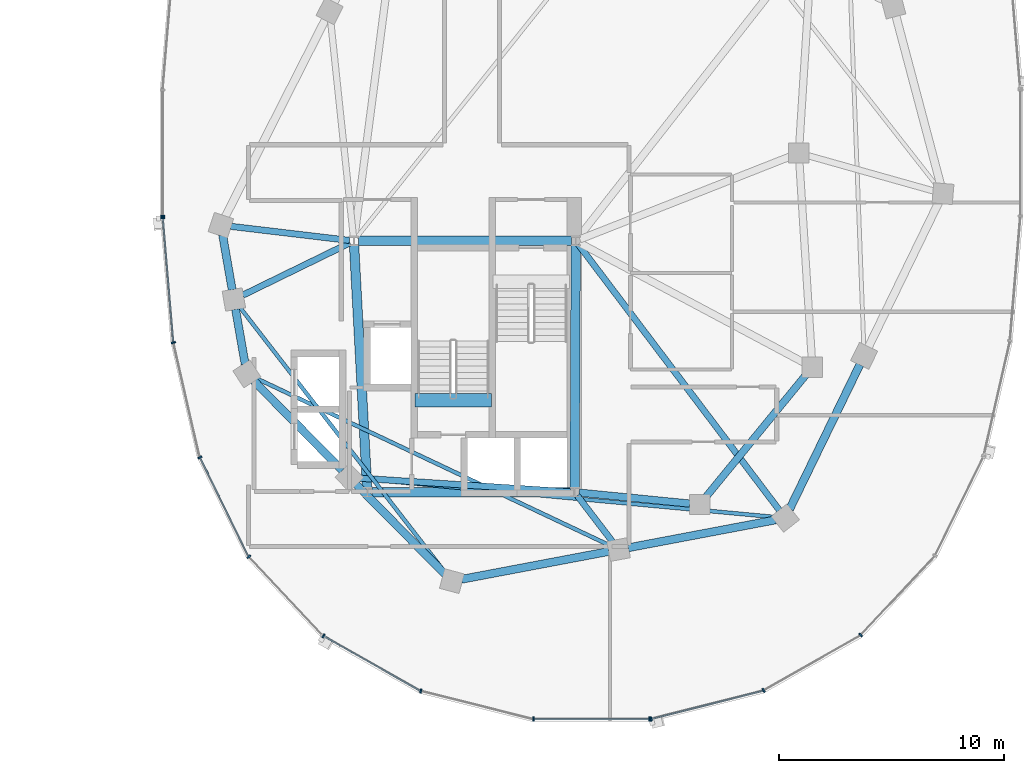
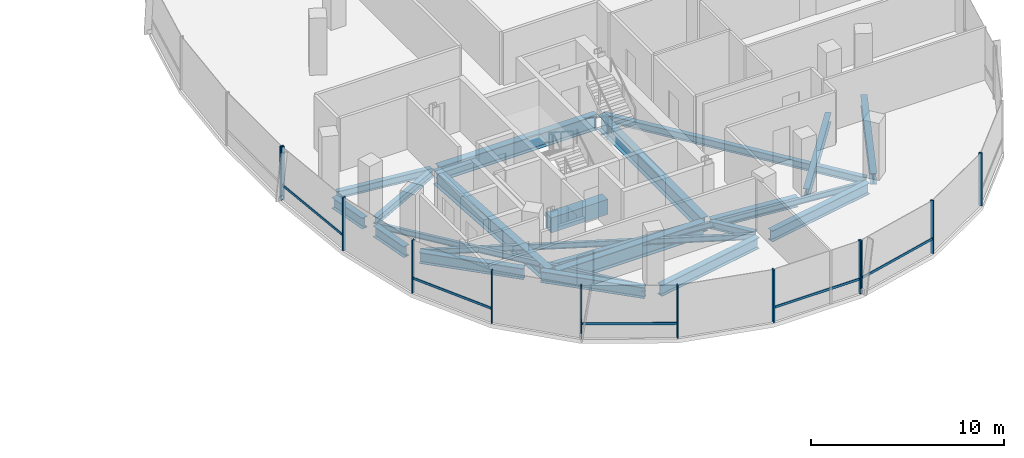
# One storey, part 8 of 25: 22 beams, 17 members, 3 elements without a shape of their own.
"""IFC4 building model written with IfcOpenShell, lengths in metres."""

import ifcopenshell
import ifcopenshell.guid

model = None  # the IFC model being written
_history = None  # IfcOwnerHistory: only IFC2X3 demands one
_inside = {}  # id of a spatial element -> (the spatial element, [elements in it])
_under = {}  # id of a project, library or spatial element -> (it, [spatial elements below it])
_declared = {}  # id of a project -> (the project, [libraries it declares])
_typed = {}  # id of a type object -> (the type object, [elements of that type])
_made_of = {}  # id of a material, layer set ... -> (it, [elements and type objects made of it])


def new_model(schema):
    """Start an empty IFC model of exactly this schema.

    Asked for "IFC4X3", IfcOpenShell would pick the latest addendum, in which some entities
    have other attributes; the version numbers below select the first issue.
    IFC2X3 requires an IfcOwnerHistory on every rooted entity: one is made here for all.
    """
    global model, _history
    if schema == "IFC4X3":
        model = ifcopenshell.file(schema_version=(4, 3, 0, 0))
    else:
        model = ifcopenshell.file(schema=schema)
    _inside.clear()
    _under.clear()
    _declared.clear()
    _typed.clear()
    _made_of.clear()
    _history = None
    if model.schema == "IFC2X3":
        org = make("IfcOrganization", Name="unknown")
        user = make(
            "IfcPersonAndOrganization",
            ThePerson=make("IfcPerson", FamilyName="unknown"),
            TheOrganization=org,
        )
        app = make(
            "IfcApplication",
            ApplicationDeveloper=org,
            Version="unknown",
            ApplicationFullName="unknown",
            ApplicationIdentifier="unknown",
        )
        _history = make(
            "IfcOwnerHistory",
            OwningUser=user,
            OwningApplication=app,
            ChangeAction="ADDED",
            CreationDate=0,
        )
    return model


def make(cls, **values):
    """One entity of the class cls with the attributes given. An attribute that is None is left unset."""
    return model.create_entity(
        cls, **{name: value for name, value in values.items() if value is not None}
    )


def rooted(cls, **values):
    """An entity with a GlobalId (a new one), such as an element, a storey or a relation."""
    return make(cls, GlobalId=ifcopenshell.guid.new(), OwnerHistory=_history, **values)


def si_unit(unit_type, name, prefix=None):
    """IfcSIUnit, for example si_unit("LENGTHUNIT", "METRE", prefix="MILLI")."""
    return make("IfcSIUnit", UnitType=unit_type, Prefix=prefix, Name=name)


def assignment(units):
    """IfcUnitAssignment: the units of a project."""
    return None if units is None else make("IfcUnitAssignment", Units=units)


def point(xyz):
    """IfcCartesianPoint."""
    return None if xyz is None else make("IfcCartesianPoint", Coordinates=xyz)


def direction(xyz):
    """IfcDirection."""
    return None if xyz is None else make("IfcDirection", DirectionRatios=xyz)


def frame(location, z_axis=None, x_axis=None):
    """IfcAxis2Placement3D, a coordinate frame: its origin and axes. An axis left out is left unset."""
    return make(
        "IfcAxis2Placement3D",
        Location=point(location),
        Axis=direction(z_axis),
        RefDirection=direction(x_axis),
    )


def frame_2d(location, x_axis=None):
    """IfcAxis2Placement2D, a coordinate frame in the plane: its origin and x axis."""
    return make(
        "IfcAxis2Placement2D", Location=point(location), RefDirection=direction(x_axis)
    )


def origin():
    """The frame at (0, 0, 0) with its axes left unset."""
    return frame((0.0, 0.0, 0.0))


def origin_2d():
    """The frame at (0, 0) in the plane with its x axis left unset."""
    return frame_2d((0.0, 0.0))


def place(relative_to, where):
    """IfcLocalPlacement: puts the frame where relative to a parent placement (None: the world)."""
    return make(
        "IfcLocalPlacement", PlacementRelTo=relative_to, RelativePlacement=where
    )


def context(
    kind, dimensions, precision=None, world=None, true_north=None, identifier=None
):
    """IfcGeometricRepresentationContext, for example the 3D "Model" context."""
    return make(
        "IfcGeometricRepresentationContext",
        ContextIdentifier=identifier,
        ContextType=kind,
        CoordinateSpaceDimension=dimensions,
        Precision=precision,
        WorldCoordinateSystem=world,
        TrueNorth=true_north,
    )


def subcontext(parent, identifier, kind, view, scale=None):
    """IfcGeometricRepresentationSubContext, for example "Body" below "Model"."""
    return make(
        "IfcGeometricRepresentationSubContext",
        ContextIdentifier=identifier,
        ContextType=kind,
        ParentContext=parent,
        TargetScale=scale,
        TargetView=view,
    )


def project(units=None, contexts=None):
    """IfcProject with its units and contexts."""
    return rooted(
        "IfcProject",
        Name="project",
        RepresentationContexts=contexts,
        UnitsInContext=assignment(units),
    )


def spatial(cls, under=None, at=None, **own):
    """A site, building, storey or space (cls), placed at a placement, below another one or the project."""
    s = rooted(cls, ObjectPlacement=at, **own)
    if under is not None:
        _under.setdefault(under.id(), (under, []))[1].append(s)
    return s


def profile(cls, at=None, kind="AREA", **sizes):
    """A parametric profile (cls). Its sizes go by their IFC names, for example OverallWidth=200.0."""
    return make(cls, ProfileType=kind, Position=at, **sizes)


def rectangle(**sizes):
    """IfcRectangleProfileDef."""
    return profile("IfcRectangleProfileDef", **sizes)


def i_section(**sizes):
    """IfcIShapeProfileDef."""
    return profile("IfcIShapeProfileDef", **sizes)


def extrude(swept, where, along, depth):
    """IfcExtrudedAreaSolid: the profile swept, set in the frame where, extruded along a direction by depth."""
    return make(
        "IfcExtrudedAreaSolid",
        SweptArea=swept,
        Position=where,
        ExtrudedDirection=direction(along),
        Depth=depth,
    )


def shape(context_of_items, identifier, shape_type, items):
    """IfcShapeRepresentation: the items that make up one representation, for example the "Body"."""
    return make(
        "IfcShapeRepresentation",
        ContextOfItems=context_of_items,
        RepresentationIdentifier=identifier,
        RepresentationType=shape_type,
        Items=items,
    )


def material(Name=None, Category=None):
    """IfcMaterial."""
    return make("IfcMaterial", Name=Name, Category=Category)


def material_profile(
    of_material, cross_section, Name=None, Category=None, Priority=None
):
    """IfcMaterialProfile: a cross section and its material."""
    return make(
        "IfcMaterialProfile",
        Name=Name,
        Material=of_material,
        Profile=cross_section,
        Priority=Priority,
        Category=Category,
    )


def profile_set(profiles, Name=None, composite=None):
    """IfcMaterialProfileSet."""
    return make(
        "IfcMaterialProfileSet",
        Name=Name,
        MaterialProfiles=profiles,
        CompositeProfile=composite,
    )


def made_of(thing, what):
    """Note that an element or type object is made of a material, layer set ...; save() writes the relation."""
    if what is not None:
        _made_of.setdefault(what.id(), (what, []))[1].append(thing)
    return thing


def type_object(cls, material=None, **own):
    """A type object (cls), such as IfcWallType, which elements share."""
    return made_of(rooted(cls, **own), material)


def element(
    cls,
    number,
    at=None,
    inside=None,
    cuts=None,
    type_object=None,
    material=None,
    context=None,
    identifier="Body",
    shape_type=None,
    held_by="IfcProductDefinitionShape",
    body=None,
    shapes=None,
    **own,
):
    """One element of the class cls, such as IfcWall. Its Tag is "e" and its number.

    at: its placement. inside: the storey or other place that contains it. cuts: it is an
    opening in that element (IfcRelVoidsElement). A single representation is given by context,
    identifier, shape_type and body (its items); several are given by shapes. held_by: the class
    of the entity that holds the representations. save() writes the other relations.
    """
    e = rooted(cls, Tag="e%d" % number, ObjectPlacement=at, **own)
    if body is not None:
        shapes = [shape(context, identifier, shape_type, body)]
    if shapes is not None:
        e.Representation = make(held_by, Representations=shapes)
    if inside is not None:
        _inside.setdefault(inside.id(), (inside, []))[1].append(e)
    if cuts is not None:
        rooted(
            "IfcRelVoidsElement", RelatingBuildingElement=cuts, RelatedOpeningElement=e
        )
    if type_object is not None:
        _typed.setdefault(type_object.id(), (type_object, []))[1].append(e)
    return made_of(e, material)


def aggregate(whole, parts):
    """IfcRelAggregates: a whole, such as a stair, and the parts it consists of."""
    return rooted("IfcRelAggregates", RelatingObject=whole, RelatedObjects=parts)


def save(model, path):
    """Write the relations noted so far, then the file.

    IfcRelAggregates (storeys below a building ...), IfcRelContainedInSpatialStructure (elements
    in a storey), IfcRelDefinesByType, IfcRelAssociatesMaterial and IfcRelDeclares: one each for
    every whole, place, type object, material and project.
    """
    for whole, parts in _under.values():
        aggregate(whole, parts)
    for where, things in _inside.values():
        rooted(
            "IfcRelContainedInSpatialStructure",
            RelatedElements=things,
            RelatingStructure=where,
        )
    for kind, things in _typed.values():
        rooted("IfcRelDefinesByType", RelatedObjects=things, RelatingType=kind)
    for what, things in _made_of.values():
        rooted("IfcRelAssociatesMaterial", RelatedObjects=things, RelatingMaterial=what)
    for by, libraries in _declared.values():
        rooted("IfcRelDeclares", RelatingContext=by, RelatedDefinitions=libraries)
    model.write(path)


model = new_model("IFC4")

# Units and contexts
model_context = context("Model", 3, precision=1e-05, world=origin(), true_north=direction((0.0, 1.0)))
body_context = subcontext(model_context, "Body", "Model", "MODEL_VIEW")
ifc_project = project(units=[si_unit("LENGTHUNIT", "METRE"), si_unit("AREAUNIT", "SQUARE_METRE"), si_unit("VOLUMEUNIT", "CUBIC_METRE"), si_unit("PLANEANGLEUNIT", "RADIAN"), si_unit("MASSUNIT", "GRAM", prefix="KILO"), si_unit("THERMODYNAMICTEMPERATUREUNIT", "KELVIN"), si_unit("POWERUNIT", "WATT")], contexts=[model_context])

# Site, building, storey
site_placement = place(None, origin())
site = spatial("IfcSite", under=ifc_project, at=site_placement, CompositionType="ELEMENT")
building_placement = place(site_placement, origin())
building = spatial("IfcBuilding", under=site, at=building_placement, Name="Cundina Bronze Exchange", CompositionType="ELEMENT")
storey_placement = place(building_placement, frame((0.0, 0.0, 195.39990234375)))
storey = spatial("IfcBuildingStorey", under=building, at=storey_placement, Name="L51", CompositionType="ELEMENT", Elevation=195.39990234375)

# Beams
ifc_material_1 = material(Name="Concrete C60/75", Category="concrete")
ifc_material_profile_1 = material_profile(ifc_material_1, rectangle(XDim=0.60009765625, YDim=0.949951171875, at=origin_2d()), Name="RC600X950", Category="concrete")
ifc_profile_set_1 = profile_set([ifc_material_profile_1], Name="Concrete C60/75")
beam_type_1 = type_object("IfcBeamType", Name="BM-COUP-RC950", PredefinedType="LINTEL", material=ifc_profile_set_1)
beam_1_placement = place(storey_placement, frame((24.159912109375, -10.97998046875, -0.474853515625), z_axis=(1.0, 0.0, 0.0), x_axis=(0.0, 1.0, 0.0)))
element("IfcBeam", 1, at=beam_1_placement, inside=storey, type_object=beam_type_1, Name="L51 Stair E2 Landing Header Beam", PredefinedType="LINTEL", context=body_context, shape_type="SweptSolid", body=[
    extrude(rectangle(XDim=0.60009765625, YDim=0.949951171875, at=origin_2d()), origin(), (0.0, 0.0, 1.0), 3.400146484375),
])
ifc_material_2 = material(Name="Steel ASTM A992 Grade 50", Category="steel")
ifc_material_profile_2 = material_profile(ifc_material_2, i_section(OverallWidth=0.280029296875, OverallDepth=0.462890625, WebThickness=0.0107421875, FlangeThickness=0.017333984375, FilletRadius=0.011962890625, at=origin_2d()), Name="W18X76", Category="steel")
ifc_profile_set_2 = profile_set([ifc_material_profile_2], Name="Steel ASTM A992 Grade 50")
beam_type_2 = type_object("IfcBeamType", Name="BM-FLR-W18A", PredefinedType="BEAM", material=ifc_profile_set_2)
beam_2_placement = place(storey_placement, frame((21.25537109375, -3.876953125, -0.491455078125), z_axis=(-0.993036786722, 0.117804669761, 0.0), x_axis=(-0.117804669761, -0.993036786722, 0.0)))
element("IfcBeam", 2, at=beam_2_placement, inside=storey, type_object=beam_type_2, Name="L51 Leg E Chordal Floor Beam 00", PredefinedType="BEAM", context=body_context, shape_type="SweptSolid", body=[
    extrude(i_section(OverallWidth=0.280029296875, OverallDepth=0.462890625, WebThickness=0.0107421875, FlangeThickness=0.017333984375, FilletRadius=0.011962890625, at=origin_2d()), origin(), (0.0, 0.0, 1.0), 5.307373046875),
])
beam_3_placement = place(storey_placement, frame((21.27392578125, -3.986083984375, -0.491455078125), z_axis=(-0.898613202677, -0.438741737214, 0.0), x_axis=(0.438741737214, -0.898613202677, 0.0)))
element("IfcBeam", 3, at=beam_3_placement, inside=storey, type_object=beam_type_2, Name="L51 Leg E Chordal Floor Beam 01", PredefinedType="BEAM", context=body_context, shape_type="SweptSolid", body=[
    extrude(i_section(OverallWidth=0.280029296875, OverallDepth=0.462890625, WebThickness=0.0107421875, FlangeThickness=0.017333984375, FilletRadius=0.011962890625, at=origin_2d()), origin(), (0.0, 0.0, 1.0), 5.2919921875),
])
beam_4_placement = place(storey_placement, frame((31.054443359375, -15.037353515625, -0.491455078125), z_axis=(-0.997894145252, 0.064863509559, 0.0), x_axis=(-0.064863509559, -0.997894145252, 0.0)))
element("IfcBeam", 4, at=beam_4_placement, inside=storey, type_object=beam_type_2, Name="L51 Leg E Chordal Floor Beam 03", PredefinedType="BEAM", context=body_context, shape_type="SweptSolid", body=[
    extrude(i_section(OverallWidth=0.280029296875, OverallDepth=0.462890625, WebThickness=0.0107421875, FlangeThickness=0.017333984375, FilletRadius=0.011962890625, at=origin_2d()), origin(), (0.0, 0.0, 1.0), 9.38720703125),
])
beam_5_placement = place(storey_placement, frame((31.369140625, -15.205810546875, -0.491455078125), z_axis=(0.60740437517, -0.794392802727, 0.0), x_axis=(0.794392802727, 0.60740437517, 0.0)))
element("IfcBeam", 5, at=beam_5_placement, inside=storey, type_object=beam_type_2, Name="L51 Leg E Chordal Floor Beam 05", PredefinedType="BEAM", context=body_context, shape_type="SweptSolid", body=[
    extrude(i_section(OverallWidth=0.280029296875, OverallDepth=0.462890625, WebThickness=0.0107421875, FlangeThickness=0.017333984375, FilletRadius=0.011962890625, at=origin_2d()), origin(), (0.0, 0.0, 1.0), 2.575927734375),
])
beam_6_placement = place(storey_placement, frame((31.418212890625, -4.056396484375, -0.491455078125), z_axis=(0.603104943786, -0.797661849897, 0.0), x_axis=(0.797661849897, 0.603104943786, 0.0)))
element("IfcBeam", 6, at=beam_6_placement, inside=storey, type_object=beam_type_2, Name="L51 Leg E Chordal Floor Beam 06", PredefinedType="BEAM", context=body_context, shape_type="SweptSolid", body=[
    extrude(i_section(OverallWidth=0.280029296875, OverallDepth=0.462890625, WebThickness=0.0107421875, FlangeThickness=0.017333984375, FilletRadius=0.011962890625, at=origin_2d()), origin(), (0.0, 0.0, 1.0), 14.785888671875),
])
ifc_material_profile_3 = material_profile(ifc_material_2, i_section(OverallWidth=0.172119140625, OverallDepth=0.35791015625, WebThickness=0.0078125, FlangeThickness=0.01318359375, FilletRadius=0.010009765625, at=origin_2d()), Name="W14X38", Category="steel")
ifc_profile_set_3 = profile_set([ifc_material_profile_3], Name="Steel ASTM A992 Grade 50")
beam_type_3 = type_object("IfcBeamType", Name="BM-JST-W14", PredefinedType="JOIST", material=ifc_profile_set_3)
beam_7_placement = place(storey_placement, frame((16.39306640625, -6.846435546875, -0.43896484375), z_axis=(0.612085793291, -0.790791364174, 0.0), x_axis=(0.790791364174, 0.612085793291, 0.0)))
element("IfcBeam", 7, at=beam_7_placement, inside=storey, type_object=beam_type_3, Name="L51 Leg E Lobe Floor Joist 01-04", PredefinedType="JOIST", context=body_context, shape_type="SweptSolid", body=[
    extrude(i_section(OverallWidth=0.172119140625, OverallDepth=0.35791015625, WebThickness=0.0078125, FlangeThickness=0.01318359375, FilletRadius=0.010009765625, at=origin_2d()), origin(), (0.0, 0.0, 1.0), 14.9306640625),
])
beam_8_placement = place(storey_placement, frame((17.095947265625, -9.9873046875, -0.43896484375), z_axis=(0.904073747204, -0.427376484632, 0.0), x_axis=(0.427376484632, 0.904073747204, 0.0)))
element("IfcBeam", 8, at=beam_8_placement, inside=storey, type_object=beam_type_3, Name="L51 Leg E Lobe Floor Joist 02-05", PredefinedType="JOIST", context=body_context, shape_type="SweptSolid", body=[
    extrude(i_section(OverallWidth=0.172119140625, OverallDepth=0.35791015625, WebThickness=0.0078125, FlangeThickness=0.01318359375, FilletRadius=0.010009765625, at=origin_2d()), origin(), (0.0, 0.0, 1.0), 17.374755859375),
])
beam_9_placement = place(storey_placement, frame((21.68603515625, -14.440673828125, -0.43896484375), z_axis=(0.9957017803, -0.092617302415, 0.0), x_axis=(0.092617302415, 0.9957017803, 0.0)))
element("IfcBeam", 9, at=beam_9_placement, inside=storey, type_object=beam_type_3, Name="L51 Leg E Lobe Floor Joist 03-06", PredefinedType="JOIST", context=body_context, shape_type="SweptSolid", body=[
    extrude(i_section(OverallWidth=0.172119140625, OverallDepth=0.35791015625, WebThickness=0.0078125, FlangeThickness=0.01318359375, FilletRadius=0.010009765625, at=origin_2d()), origin(), (0.0, 0.0, 1.0), 18.5576171875),
])
ifc_material_profile_4 = material_profile(ifc_material_2, i_section(OverallWidth=0.324951171875, OverallDepth=0.615966796875, WebThickness=0.013916015625, FlangeThickness=0.021484375, FilletRadius=0.01611328125, at=origin_2d()), Name="W24X117", Category="steel")
ifc_profile_set_4 = profile_set([ifc_material_profile_4], Name="Steel ASTM A992 Grade 50")
beam_type_4 = type_object("IfcBeamType", Name="BM-RING-W24", PredefinedType="USERDEFINED", material=ifc_profile_set_4)
beam_10_placement = place(storey_placement, frame((31.445068359375, -15.0693359375, -0.56787109375), z_axis=(0.995123854478, -0.09863323096, 0.0), x_axis=(0.09863323096, 0.995123854478, 0.0)))
element("IfcBeam", 10, at=beam_10_placement, inside=storey, type_object=beam_type_4, Name="L51 E Inner Structural Ring Girder 01", ObjectType="GIRDER", PredefinedType="USERDEFINED", context=body_context, shape_type="SweptSolid", body=[
    extrude(i_section(OverallWidth=0.324951171875, OverallDepth=0.615966796875, WebThickness=0.013916015625, FlangeThickness=0.021484375, FilletRadius=0.01611328125, at=origin_2d()), origin(), (0.0, 0.0, 1.0), 4.943115234375),
])
beam_11_placement = place(storey_placement, frame((37.07763671875, -15.26123046875, -0.56787109375), z_axis=(0.633912590175, 0.77340469873, 0.0), x_axis=(-0.77340469873, 0.633912590175, 0.0)))
element("IfcBeam", 11, at=beam_11_placement, inside=storey, type_object=beam_type_4, Name="L51 E Inner Structural Ring Girder 02", ObjectType="GIRDER", PredefinedType="USERDEFINED", context=body_context, shape_type="SweptSolid", body=[
    extrude(i_section(OverallWidth=0.324951171875, OverallDepth=0.615966796875, WebThickness=0.013916015625, FlangeThickness=0.021484375, FilletRadius=0.01611328125, at=origin_2d()), origin(), (0.0, 0.0, 1.0), 7.01123046875),
])
ifc_material_profile_5 = material_profile(ifc_material_2, i_section(OverallWidth=0.35498046875, OverallDepth=0.695068359375, WebThickness=0.015380859375, FlangeThickness=0.02490234375, FilletRadius=0.01806640625, at=origin_2d()), Name="W27X146", Category="steel")
ifc_profile_set_5 = profile_set([ifc_material_profile_5], Name="Steel ASTM A992 Grade 50")
beam_type_5 = type_object("IfcBeamType", Name="BM-RING-W27", PredefinedType="USERDEFINED", material=ifc_profile_set_5)
for number, where, z_axis, x_axis, name in (
    (12, (15.625244140625, -3.631591796875, -0.607421875), (0.171628556628, -0.985161732179, 0.0), (0.985161732179, 0.171628556628, 0.0), "L51 E Perimeter Ring Girder 00"),
    (13, (16.2001953125, -6.931396484375, -0.607421875), (0.171628556628, -0.985161732179, 0.0), (0.985161732179, 0.171628556628, 0.0), "L51 E Perimeter Ring Girder 01"),
):
    element("IfcBeam", number, at=place(storey_placement, frame(where, z_axis=z_axis, x_axis=x_axis)), inside=storey, type_object=beam_type_5, Name=name, ObjectType="GIRDER", PredefinedType="USERDEFINED", context=body_context, shape_type="SweptSolid", body=[
        extrude(i_section(OverallWidth=0.35498046875, OverallDepth=0.695068359375, WebThickness=0.015380859375, FlangeThickness=0.02490234375, FilletRadius=0.01806640625, at=origin_2d()), origin(), (0.0, 0.0, 1.0), 2.4736328125),
    ])
for number, where, z_axis, x_axis, name in (
    (14, (17.008056640625, -10.111328125, -0.607421875), (0.703211928763, -0.710980297368, 0.0), (0.710980297368, 0.703211928763, 0.0), "L51 E Perimeter Ring Girder 02"),
    (15, (21.55810546875, -14.71142578125, -0.607421875), (0.703211928763, -0.710980297368, 0.0), (0.710980297368, 0.703211928763, 0.0), "L51 E Perimeter Ring Girder 03"),
):
    element("IfcBeam", number, at=place(storey_placement, frame(where, z_axis=z_axis, x_axis=x_axis)), inside=storey, type_object=beam_type_5, Name=name, ObjectType="GIRDER", PredefinedType="USERDEFINED", context=body_context, shape_type="SweptSolid", body=[
        extrude(i_section(OverallWidth=0.35498046875, OverallDepth=0.695068359375, WebThickness=0.015380859375, FlangeThickness=0.02490234375, FilletRadius=0.01806640625, at=origin_2d()), origin(), (0.0, 0.0, 1.0), 5.593994140625),
    ])
beam_12_placement = place(storey_placement, frame((26.23046875, -18.918701171875, -0.607421875), z_axis=(0.982565174657, 0.185918470175, 0.0), x_axis=(-0.185918470175, 0.982565174657, 0.0)))
element("IfcBeam", 16, at=beam_12_placement, inside=storey, type_object=beam_type_5, Name="L51 E Perimeter Ring Girder 04", ObjectType="GIRDER", PredefinedType="USERDEFINED", context=body_context, shape_type="SweptSolid", body=[
    extrude(i_section(OverallWidth=0.35498046875, OverallDepth=0.695068359375, WebThickness=0.015380859375, FlangeThickness=0.02490234375, FilletRadius=0.01806640625, at=origin_2d()), origin(), (0.0, 0.0, 1.0), 6.655029296875),
])
beam_13_placement = place(storey_placement, frame((33.63037109375, -17.5185546875, -0.607421875), z_axis=(0.982573143022, 0.185876353022, 0.0), x_axis=(-0.185876353022, 0.982573143022, 0.0)))
element("IfcBeam", 17, at=beam_13_placement, inside=storey, type_object=beam_type_5, Name="L51 E Perimeter Ring Girder 05", ObjectType="GIRDER", PredefinedType="USERDEFINED", context=body_context, shape_type="SweptSolid", body=[
    extrude(i_section(OverallWidth=0.35498046875, OverallDepth=0.695068359375, WebThickness=0.015380859375, FlangeThickness=0.02490234375, FilletRadius=0.01806640625, at=origin_2d()), origin(), (0.0, 0.0, 1.0), 6.6552734375),
])
beam_14_placement = place(storey_placement, frame((40.79150390625, -15.80615234375, -0.607421875), z_axis=(0.437173087764, 0.89937739094, 0.0), x_axis=(-0.89937739094, 0.437173087764, 0.0)))
element("IfcBeam", 18, at=beam_14_placement, inside=storey, type_object=beam_type_5, Name="L51 E Perimeter Ring Girder 06", ObjectType="GIRDER", PredefinedType="USERDEFINED", context=body_context, shape_type="SweptSolid", body=[
    extrude(i_section(OverallWidth=0.35498046875, OverallDepth=0.695068359375, WebThickness=0.015380859375, FlangeThickness=0.02490234375, FilletRadius=0.01806640625, at=origin_2d()), origin(), (0.0, 0.0, 1.0), 7.1298828125),
])
ifc_material_profile_6 = material_profile(ifc_material_2, i_section(OverallWidth=0.41796875, OverallDepth=0.927001953125, WebThickness=0.019287109375, FlangeThickness=0.031982421875, FilletRadius=0.02392578125, at=origin_2d()), Name="W36X231", Category="steel")
ifc_profile_set_6 = profile_set([ifc_material_profile_6], Name="Steel ASTM A992 Grade 50")
beam_type_6 = type_object("IfcBeamType", Name="BM-WRN-W36B", PredefinedType="USERDEFINED", material=ifc_profile_set_6)
beam_15_placement = place(storey_placement, frame((31.10400390625, -3.89990234375, -0.723388671875), z_axis=(-1.0, 0.0, 0.0), x_axis=(0.0, -1.0, 0.0)))
element("IfcBeam", 19, at=beam_15_placement, inside=storey, type_object=beam_type_6, Name="L51 E Core Perimeter Tie Girder 1", ObjectType="GIRDER", PredefinedType="USERDEFINED", context=body_context, shape_type="SweptSolid", body=[
    extrude(i_section(OverallWidth=0.41796875, OverallDepth=0.927001953125, WebThickness=0.019287109375, FlangeThickness=0.031982421875, FilletRadius=0.02392578125, at=origin_2d()), origin(), (0.0, 0.0, 1.0), 9.4580078125),
])
beam_16_placement = place(storey_placement, frame((21.46044921875, -4.095703125, -0.723388671875), z_axis=(0.053749317644, -0.998554460634, 0.0), x_axis=(0.998554460634, 0.053749317644, 0.0)))
element("IfcBeam", 20, at=beam_16_placement, inside=storey, type_object=beam_type_6, Name="L51 E Core Perimeter Tie Girder 2", ObjectType="GIRDER", PredefinedType="USERDEFINED", context=body_context, shape_type="SweptSolid", body=[
    extrude(i_section(OverallWidth=0.41796875, OverallDepth=0.927001953125, WebThickness=0.019287109375, FlangeThickness=0.031982421875, FilletRadius=0.02392578125, at=origin_2d()), origin(), (0.0, 0.0, 1.0), 10.774169921875),
])
beam_17_placement = place(storey_placement, frame((22.24609375, -15.050048828125, -0.723388671875), z_axis=(1.0, 0.0, 0.0), x_axis=(0.0, 1.0, 0.0)))
element("IfcBeam", 21, at=beam_17_placement, inside=storey, type_object=beam_type_6, Name="L51 E Core Perimeter Tie Girder 3", ObjectType="GIRDER", PredefinedType="USERDEFINED", context=body_context, shape_type="SweptSolid", body=[
    extrude(i_section(OverallWidth=0.41796875, OverallDepth=0.927001953125, WebThickness=0.019287109375, FlangeThickness=0.031982421875, FilletRadius=0.02392578125, at=origin_2d()), origin(), (0.0, 0.0, 1.0), 8.807861328125),
])
beam_18_placement = place(storey_placement, frame((31.2509765625, -14.85400390625, -0.723388671875), z_axis=(0.004470623654, 0.999990006712, 0.0), x_axis=(-0.999990006712, 0.004470623654, 0.0)))
element("IfcBeam", 22, at=beam_18_placement, inside=storey, type_object=beam_type_6, Name="L51 E Core Perimeter Tie Girder 4", ObjectType="GIRDER", PredefinedType="USERDEFINED", context=body_context, shape_type="SweptSolid", body=[
    extrude(i_section(OverallWidth=0.41796875, OverallDepth=0.927001953125, WebThickness=0.019287109375, FlangeThickness=0.031982421875, FilletRadius=0.02392578125, at=origin_2d()), origin(), (0.0, 0.0, 1.0), 10.758056640625),
])

# Curtain wall, member
ifc_material_3 = material(Name="Anodised Bronze Aluminium 6063-T6", Category="aluminium")
curtain_wall_type = type_object("IfcCurtainWallType", Name="CWS-UPP-OFF", PredefinedType="NOTDEFINED", material=ifc_material_3)
curtain_wall_1_placement = place(storey_placement, origin())
curtain_wall_1 = element("IfcCurtainWall", 23, at=curtain_wall_1_placement, inside=storey, type_object=curtain_wall_type, Name="L51 CW-05 Curtain Wall Run CWR-L51-E2", PredefinedType="NOTDEFINED")
ifc_material_profile_7 = material_profile(ifc_material_3, rectangle(XDim=0.070068359375, YDim=0.18994140625, at=origin_2d()), Name="AL70X190", Category="aluminium")
ifc_profile_set_7 = profile_set([ifc_material_profile_7], Name="Anodised Bronze Aluminium 6063-T6")
member_type_1 = type_object("IfcMemberType", Name="CWM-MUL-190", PredefinedType="MULLION", material=ifc_profile_set_7)
member_1_placement = place(storey_placement, frame((12.966064453125, -2.794921875, 0.0), z_axis=(0.0, 0.0, 1.0), x_axis=(0.0, -1.0, 0.0)))
member_1 = element("IfcMember", 24, at=member_1_placement, type_object=member_type_1, Name="CW-05 End Mullion", PredefinedType="MULLION", context=body_context, shape_type="SweptSolid", body=[
    extrude(rectangle(XDim=0.070068359375, YDim=0.18994140625, at=origin_2d()), origin(), (0.0, 0.0, 1.0), 3.340087890625),
])
aggregate(curtain_wall_1, [member_1])

# Curtain wall, members
curtain_wall_2_placement = place(storey_placement, origin())
curtain_wall_2 = element("IfcCurtainWall", 25, at=curtain_wall_2_placement, inside=storey, type_object=curtain_wall_type, Name="L51 CW-05 Curtain Wall Run CWR-L51-E3", PredefinedType="NOTDEFINED")
member_2_placement = place(storey_placement, frame((12.9697265625, -2.88330078125, 0.0), z_axis=(0.0, 0.0, 1.0), x_axis=(0.083677843332, -0.99649285925, 0.0)))
member_2 = element("IfcMember", 26, at=member_2_placement, type_object=member_type_1, Name="CW-05 Mullion 1", PredefinedType="MULLION", context=body_context, shape_type="SweptSolid", body=[
    extrude(rectangle(XDim=0.070068359375, YDim=0.18994140625, at=origin_2d()), origin(), (0.0, 0.0, 1.0), 3.340087890625),
])
member_3_placement = place(storey_placement, frame((13.43994140625, -8.4111328125, 0.0), z_axis=(0.0, 0.0, 1.0), x_axis=(0.223250116011, -0.974761194191, 0.0)))
member_3 = element("IfcMember", 27, at=member_3_placement, type_object=member_type_1, Name="CW-05 Mullion 2", PredefinedType="MULLION", context=body_context, shape_type="SweptSolid", body=[
    extrude(rectangle(XDim=0.070068359375, YDim=0.18994140625, at=origin_2d()), origin(), (0.0, 0.0, 1.0), 3.340087890625),
])
member_4_placement = place(storey_placement, frame((14.61572265625, -13.50732421875, 0.0), z_axis=(0.0, 0.0, 1.0), x_axis=(0.440566004113, -0.897720221461, 0.0)))
member_4 = element("IfcMember", 28, at=member_4_placement, type_object=member_type_1, Name="CW-05 Mullion 3", PredefinedType="MULLION", context=body_context, shape_type="SweptSolid", body=[
    extrude(rectangle(XDim=0.070068359375, YDim=0.18994140625, at=origin_2d()), origin(), (0.0, 0.0, 1.0), 3.340087890625),
])
member_5_placement = place(storey_placement, frame((16.790283203125, -17.91796875, 0.0), z_axis=(0.0, 0.0, 1.0), x_axis=(0.684292606175, -0.729207535023, 0.0)))
member_5 = element("IfcMember", 29, at=member_5_placement, type_object=member_type_1, Name="CW-05 Mullion 4", PredefinedType="MULLION", context=body_context, shape_type="SweptSolid", body=[
    extrude(rectangle(XDim=0.070068359375, YDim=0.18994140625, at=origin_2d()), origin(), (0.0, 0.0, 1.0), 3.340087890625),
])
member_6_placement = place(storey_placement, frame((20.100341796875, -21.43115234375, 0.0), z_axis=(0.0, 0.0, 1.0), x_axis=(0.86958112538, -0.493790103568, 0.0)))
member_6 = element("IfcMember", 30, at=member_6_placement, type_object=member_type_1, Name="CW-05 Mullion 5", PredefinedType="MULLION", context=body_context, shape_type="SweptSolid", body=[
    extrude(rectangle(XDim=0.070068359375, YDim=0.18994140625, at=origin_2d()), origin(), (0.0, 0.0, 1.0), 3.340087890625),
])
member_7_placement = place(storey_placement, frame((24.422607421875, -23.87548828125, 0.0), z_axis=(0.0, 0.0, 1.0), x_axis=(0.969744325821, -0.244122802168, 0.0)))
member_7 = element("IfcMember", 31, at=member_7_placement, type_object=member_type_1, Name="CW-05 Mullion 6", PredefinedType="MULLION", context=body_context, shape_type="SweptSolid", body=[
    extrude(rectangle(XDim=0.070068359375, YDim=0.18994140625, at=origin_2d()), origin(), (0.0, 0.0, 1.0), 3.340087890625),
])
member_8_placement = place(storey_placement, frame((29.419921875, -25.125, 0.0), z_axis=(0.0, 0.0, 1.0), x_axis=(1.0, 0.0, 0.0)))
member_8 = element("IfcMember", 32, at=member_8_placement, type_object=member_type_1, Name="CW-05 Mullion 7", PredefinedType="MULLION", context=body_context, shape_type="SweptSolid", body=[
    extrude(rectangle(XDim=0.070068359375, YDim=0.18994140625, at=origin_2d()), origin(), (0.0, 0.0, 1.0), 3.340087890625),
])
member_9_placement = place(storey_placement, frame((34.580078125, -25.125, 0.0), z_axis=(0.0, 0.0, 1.0), x_axis=(1.0, 0.0, 0.0)))
member_9 = element("IfcMember", 33, at=member_9_placement, type_object=member_type_1, Name="CW-05 End Mullion", PredefinedType="MULLION", context=body_context, shape_type="SweptSolid", body=[
    extrude(rectangle(XDim=0.070068359375, YDim=0.18994140625, at=origin_2d()), origin(), (0.0, 0.0, 1.0), 3.340087890625),
])

curtain_wall_3_placement = place(storey_placement, origin())
curtain_wall_3 = element("IfcCurtainWall", 34, at=curtain_wall_3_placement, inside=storey, type_object=curtain_wall_type, Name="L51 CW-05 Curtain Wall Run CWR-L51-E4", PredefinedType="NOTDEFINED")
member_10_placement = place(storey_placement, frame((34.6484375, -25.116455078125, 0.0), z_axis=(0.0, 0.0, 1.0), x_axis=(0.969744325821, 0.244122802168, 0.0)))
member_10 = element("IfcMember", 35, at=member_10_placement, type_object=member_type_1, Name="CW-05 Mullion 1", PredefinedType="MULLION", context=body_context, shape_type="SweptSolid", body=[
    extrude(rectangle(XDim=0.070068359375, YDim=0.18994140625, at=origin_2d()), origin(), (0.0, 0.0, 1.0), 3.340087890625),
])
member_11_placement = place(storey_placement, frame((39.638916015625, -23.850830078125, 0.0), z_axis=(0.0, 0.0, 1.0), x_axis=(0.86958112538, 0.493790103568, 0.0)))
member_11 = element("IfcMember", 36, at=member_11_placement, type_object=member_type_1, Name="CW-05 Mullion 2", PredefinedType="MULLION", context=body_context, shape_type="SweptSolid", body=[
    extrude(rectangle(XDim=0.070068359375, YDim=0.18994140625, at=origin_2d()), origin(), (0.0, 0.0, 1.0), 3.340087890625),
])
member_12_placement = place(storey_placement, frame((43.94873046875, -21.392578125, 0.0), z_axis=(0.0, 0.0, 1.0), x_axis=(0.684292606175, 0.729207535023, 0.0)))
member_12 = element("IfcMember", 37, at=member_12_placement, type_object=member_type_1, Name="CW-05 Mullion 3", PredefinedType="MULLION", context=body_context, shape_type="SweptSolid", body=[
    extrude(rectangle(XDim=0.070068359375, YDim=0.18994140625, at=origin_2d()), origin(), (0.0, 0.0, 1.0), 3.340087890625),
])

# Member
ifc_material_profile_8 = material_profile(ifc_material_3, rectangle(XDim=0.06494140625, YDim=0.14990234375, at=origin_2d()), Name="AL65X150", Category="aluminium")
ifc_profile_set_8 = profile_set([ifc_material_profile_8], Name="Anodised Bronze Aluminium 6063-T6")
member_type_2 = type_object("IfcMemberType", Name="CWM-TRN-150", PredefinedType="USERDEFINED", material=ifc_profile_set_8)
member_13_placement = place(storey_placement, frame((12.972900390625, -2.921630859375, 0.920166015625), z_axis=(0.083740331158, -0.996487610027, 0.0), x_axis=(0.996487610027, 0.083740331158, 0.0)))
member_13 = element("IfcMember", 38, at=member_13_placement, type_object=member_type_2, Name="CW-05 Spandrel Transom 1", ObjectType="TRANSOM", PredefinedType="USERDEFINED", context=body_context, shape_type="SweptSolid", body=[
    extrude(rectangle(XDim=0.06494140625, YDim=0.14990234375, at=origin_2d()), origin(), (0.0, 0.0, 1.0), 5.466552734375),
])

member_14_placement = place(storey_placement, frame((14.6328125, -13.5419921875, 0.920166015625), z_axis=(0.440483110889, -0.897760897467, 0.0), x_axis=(0.897760897467, 0.440483110889, 0.0)))
member_14 = element("IfcMember", 39, at=member_14_placement, type_object=member_type_2, Name="CW-05 Spandrel Transom 3", ObjectType="TRANSOM", PredefinedType="USERDEFINED", context=body_context, shape_type="SweptSolid", body=[
    extrude(rectangle(XDim=0.06494140625, YDim=0.14990234375, at=origin_2d()), origin(), (0.0, 0.0, 1.0), 4.855224609375),
])

member_15_placement = place(storey_placement, frame((20.1337890625, -21.4501953125, 0.920166015625), z_axis=(0.869573748083, -0.493803095013, 0.0), x_axis=(0.493803095013, 0.869573748083, 0.0)))
member_15 = element("IfcMember", 40, at=member_15_placement, type_object=member_type_2, Name="CW-05 Spandrel Transom 5", ObjectType="TRANSOM", PredefinedType="USERDEFINED", context=body_context, shape_type="SweptSolid", body=[
    extrude(rectangle(XDim=0.06494140625, YDim=0.14990234375, at=origin_2d()), origin(), (0.0, 0.0, 1.0), 4.900146484375),
])

member_16_placement = place(storey_placement, frame((29.45849609375, -25.125, 0.920166015625), z_axis=(1.0, 0.0, 0.0), x_axis=(0.0, 1.0, 0.0)))
member_16 = element("IfcMember", 41, at=member_16_placement, type_object=member_type_2, Name="CW-05 Spandrel Transom 7", ObjectType="TRANSOM", PredefinedType="USERDEFINED", context=body_context, shape_type="SweptSolid", body=[
    extrude(rectangle(XDim=0.06494140625, YDim=0.14990234375, at=origin_2d()), origin(), (0.0, 0.0, 1.0), 5.0830078125),
])

aggregate(curtain_wall_2, [member_2, member_13, member_3, member_4, member_14, member_5, member_6, member_15, member_7, member_8, member_9, member_16])

member_17_placement = place(storey_placement, frame((34.685791015625, -25.107177734375, 0.920166015625), z_axis=(0.969725738797, 0.244196624699, 0.0), x_axis=(-0.244196624699, 0.969725738797, 0.0)))
member_17 = element("IfcMember", 42, at=member_17_placement, type_object=member_type_2, Name="CW-05 Spandrel Transom 1", ObjectType="TRANSOM", PredefinedType="USERDEFINED", context=body_context, shape_type="SweptSolid", body=[
    extrude(rectangle(XDim=0.06494140625, YDim=0.14990234375, at=origin_2d()), origin(), (0.0, 0.0, 1.0), 5.082763671875),
])

aggregate(curtain_wall_3, [member_10, member_17, member_11, member_12])

save(model, "model.ifc")
